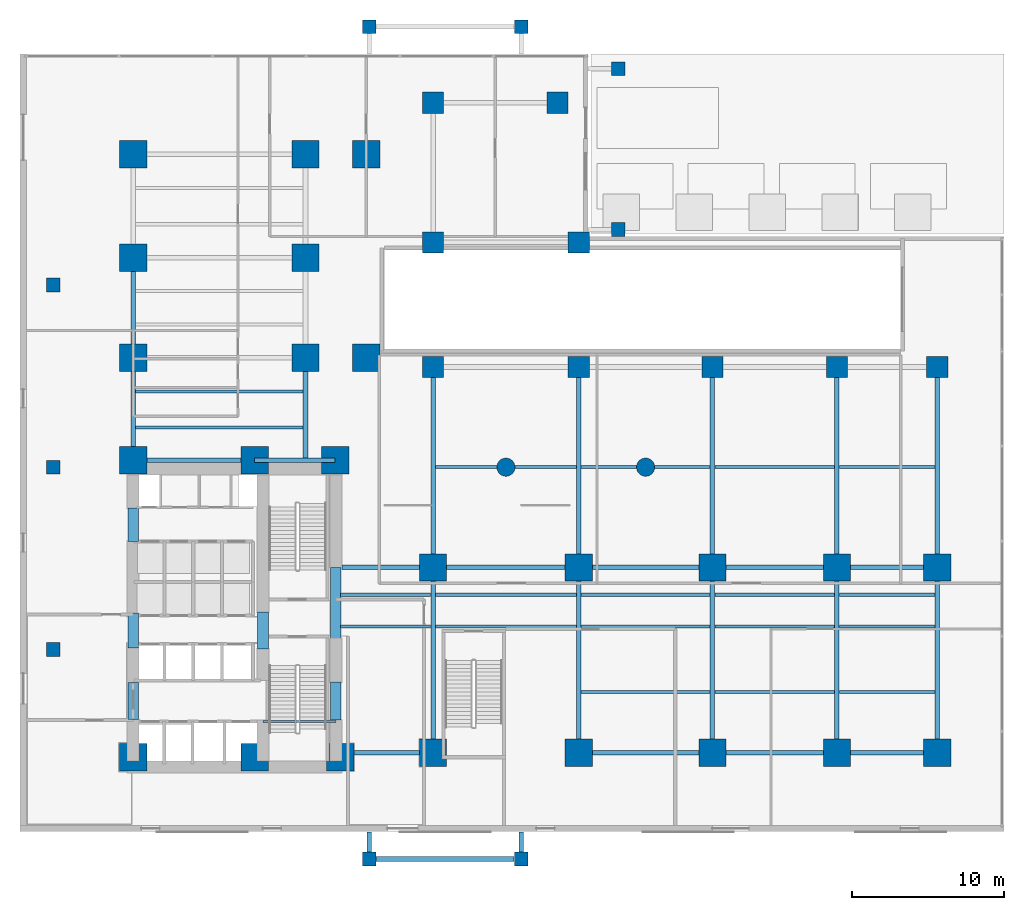
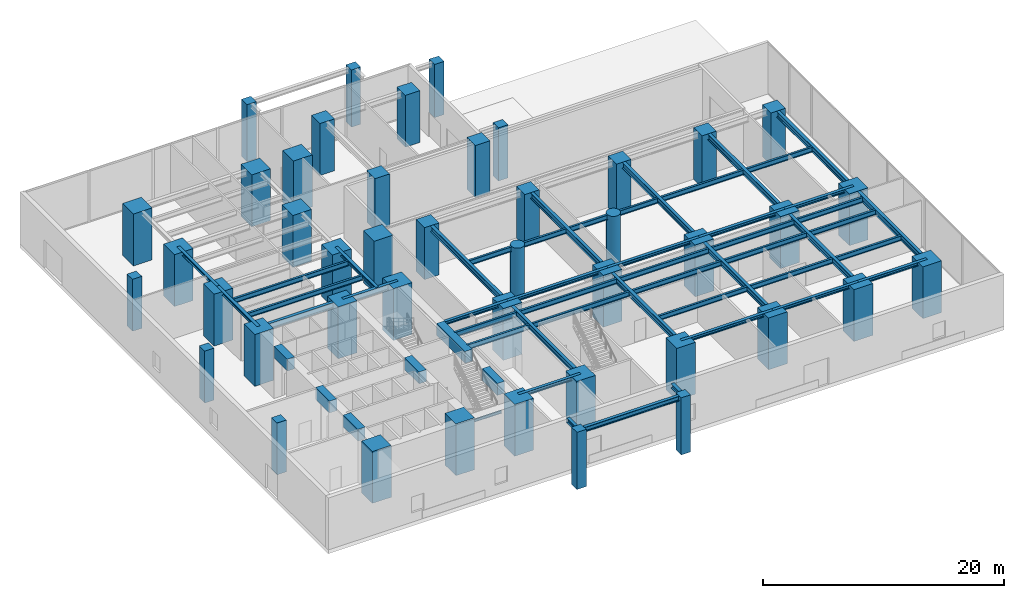
# One storey, part 1 of 17: 53 beams, 44 columns.
"""IFC4 building model written with IfcOpenShell, lengths in metres."""

from ifc_helpers import new_model, si_unit, direction, frame, origin, origin_2d, place, context, subcontext, project, spatial, rectangle, circle, i_section, extrude, material, material_profile, profile_set, type_object, element, save


model = new_model("IFC4")

# Units and contexts
model_context = context("Model", 3, precision=1e-05, world=origin(), true_north=direction((0.0, 1.0)))
body_context = subcontext(model_context, "Body", "Model", "MODEL_VIEW")
ifc_project = project(units=[si_unit("LENGTHUNIT", "METRE"), si_unit("AREAUNIT", "SQUARE_METRE"), si_unit("VOLUMEUNIT", "CUBIC_METRE"), si_unit("PLANEANGLEUNIT", "RADIAN"), si_unit("MASSUNIT", "GRAM", prefix="KILO")], contexts=[model_context])

# Site, building, storey
site_placement = place(None, origin())
site = spatial("IfcSite", under=ifc_project, at=site_placement, CompositionType="ELEMENT")
building_placement = place(site_placement, origin())
building = spatial("IfcBuilding", under=site, at=building_placement, Name="Kolvaren Waterfront Exchange", CompositionType="ELEMENT")
storey_placement = place(building_placement, origin())
storey = spatial("IfcBuildingStorey", under=building, at=storey_placement, Name="L01", CompositionType="ELEMENT", Elevation=0.0)

# Columns
ifc_material_1 = material(Name="Concrete C70/85", Category="concrete")
ifc_material_profile_1 = material_profile(ifc_material_1, rectangle(XDim=1.39990234375, YDim=1.39990234375, at=origin_2d()), Name="RC-COL-1400x1400")
ifc_profile_set_1 = profile_set([ifc_material_profile_1], Name="Concrete C70/85")
column_type_1 = type_object("IfcColumnType", Name="STR-COL-1400-C70", PredefinedType="COLUMN", material=ifc_profile_set_1)
for number, where, z_axis, x_axis, name in (
    (1, (27.199951171875, 30.60009765625, 0.0), (0.0, 0.0, 1.0), (1.0, 0.0, 0.0), "L01 column PC01"),
    (2, (36.800048828125, 30.60009765625, 0.0), (0.0, 0.0, 1.0), (1.0, 0.0, 0.0), "L01 column PC02"),
    (3, (45.60009765625, 30.60009765625, 0.0), (0.0, 0.0, 1.0), (1.0, 0.0, 0.0), "L01 column PC03"),
    (4, (53.800048828125, 30.60009765625, 0.0), (0.0, 0.0, 1.0), (1.0, 0.0, 0.0), "L01 column PC04"),
    (5, (60.39990234375, 30.60009765625, 0.0), (0.0, 0.0, 1.0), (1.0, 0.0, 0.0), "L01 column PC05"),
    (6, (27.199951171875, 38.800048828125, 0.0), (0.0, 0.0, 1.0), (1.0, 0.0, 0.0), "L01 column PC06"),
    (7, (36.800048828125, 38.800048828125, 0.0), (0.0, 0.0, 1.0), (1.0, 0.0, 0.0), "L01 column PC07"),
    (8, (27.199951171875, 48.0, 0.0), (0.0, 0.0, 1.0), (1.0, 0.0, 0.0), "L01 column PC08"),
    (9, (35.39990234375, 48.0, 0.0), (0.0, 0.0, 1.0), (1.0, 0.0, 0.0), "L01 column PC09"),
):
    element("IfcColumn", number, at=place(storey_placement, frame(where, z_axis=z_axis, x_axis=x_axis)), inside=storey, type_object=column_type_1, Name=name, PredefinedType="COLUMN", context=body_context, shape_type="SweptSolid", body=[
        extrude(rectangle(XDim=1.39990234375, YDim=1.39990234375, at=origin_2d()), origin(), (0.0, 0.0, 1.0), 5.260009765625),
    ])
ifc_material_profile_2 = material_profile(ifc_material_1, rectangle(XDim=1.800048828125, YDim=1.800048828125, at=origin_2d()), Name="RC-COL-1800x1800")
ifc_profile_set_2 = profile_set([ifc_material_profile_2], Name="Concrete C70/85")
column_type_2 = type_object("IfcColumnType", Name="STR-COL-1800-C70", PredefinedType="COLUMN", material=ifc_profile_set_2)
for number, where, z_axis, x_axis, name in (
    (10, (7.449951171875, 4.89990234375, 0.0), (0.0, 0.0, 1.0), (1.0, 0.0, 0.0), "L01 column MC01"),
    (11, (15.449951171875, 4.89990234375, 0.0), (0.0, 0.0, 1.0), (1.0, 0.0, 0.0), "L01 column MC02"),
    (12, (21.10009765625, 4.89990234375, 0.0), (0.0, 0.0, 1.0), (1.0, 0.0, 0.0), "L01 column MC03"),
    (13, (7.449951171875, 24.449951171875, 0.0), (0.0, 0.0, 1.0), (1.0, 0.0, 0.0), "L01 column MC04"),
    (14, (15.449951171875, 24.449951171875, 0.0), (0.0, 0.0, 1.0), (1.0, 0.0, 0.0), "L01 column MC05"),
    (15, (20.75, 24.449951171875, 0.0), (0.0, 0.0, 1.0), (1.0, 0.0, 0.0), "L01 column MC06"),
    (16, (7.449951171875, 31.199951171875, 0.0), (0.0, 0.0, 1.0), (1.0, 0.0, 0.0), "L01 column NC01"),
    (17, (7.449951171875, 37.800048828125, 0.0), (0.0, 0.0, 1.0), (1.0, 0.0, 0.0), "L01 column NC02"),
    (18, (7.449951171875, 44.60009765625, 0.0), (0.0, 0.0, 1.0), (1.0, 0.0, 0.0), "L01 column NC03"),
    (19, (18.800048828125, 31.199951171875, 0.0), (0.0, 0.0, 1.0), (1.0, 0.0, 0.0), "L01 column NC04"),
    (20, (18.800048828125, 37.800048828125, 0.0), (0.0, 0.0, 1.0), (1.0, 0.0, 0.0), "L01 column NC05"),
    (21, (18.800048828125, 44.60009765625, 0.0), (0.0, 0.0, 1.0), (1.0, 0.0, 0.0), "L01 column NC06"),
    (22, (27.199951171875, 5.199951171875, 0.0), (0.0, 0.0, 1.0), (1.0, 0.0, 0.0), "L01 column EC01"),
    (23, (36.800048828125, 5.199951171875, 0.0), (0.0, 0.0, 1.0), (1.0, 0.0, 0.0), "L01 column EC02"),
    (24, (45.60009765625, 5.199951171875, 0.0), (0.0, 0.0, 1.0), (1.0, 0.0, 0.0), "L01 column EC03"),
    (25, (27.199951171875, 17.39990234375, 0.0), (0.0, 0.0, 1.0), (1.0, 0.0, 0.0), "L01 column EC04"),
    (26, (36.800048828125, 17.39990234375, 0.0), (0.0, 0.0, 1.0), (1.0, 0.0, 0.0), "L01 column EC05"),
    (27, (45.60009765625, 17.39990234375, 0.0), (0.0, 0.0, 1.0), (1.0, 0.0, 0.0), "L01 column EC06"),
    (28, (53.800048828125, 5.199951171875, 0.0), (0.0, 0.0, 1.0), (1.0, 0.0, 0.0), "L01 column ZC01"),
    (29, (53.800048828125, 17.39990234375, 0.0), (0.0, 0.0, 1.0), (1.0, 0.0, 0.0), "L01 column ZC02"),
    (30, (60.39990234375, 5.199951171875, 0.0), (0.0, 0.0, 1.0), (1.0, 0.0, 0.0), "L01 column ZC03"),
    (31, (60.39990234375, 17.39990234375, 0.0), (0.0, 0.0, 1.0), (1.0, 0.0, 0.0), "L01 column ZC04"),
    (32, (22.800048828125, 31.199951171875, 0.0), (0.0, 0.0, 1.0), (1.0, 0.0, 0.0), "L01 column ZC05"),
    (33, (22.800048828125, 44.60009765625, 0.0), (0.0, 0.0, 1.0), (1.0, 0.0, 0.0), "L01 column ZC06"),
):
    element("IfcColumn", number, at=place(storey_placement, frame(where, z_axis=z_axis, x_axis=x_axis)), inside=storey, type_object=column_type_2, Name=name, PredefinedType="COLUMN", context=body_context, shape_type="SweptSolid", body=[
        extrude(rectangle(XDim=1.800048828125, YDim=1.800048828125, at=origin_2d()), origin(), (0.0, 0.0, 1.0), 5.260009765625),
    ])
ifc_material_2 = material(Name="Concrete C50/60", Category="concrete")
ifc_material_profile_3 = material_profile(ifc_material_2, rectangle(XDim=0.89990234375, YDim=0.89990234375, at=origin_2d()), Name="RC-COL-900x900")
ifc_profile_set_3 = profile_set([ifc_material_profile_3], Name="Concrete C50/60")
column_type_3 = type_object("IfcColumnType", Name="STR-COL-900-C50", PredefinedType="COLUMN", material=ifc_profile_set_3)
for number, where, z_axis, x_axis, name in (
    (34, (23.0, -1.800048828125, -0.39990234375), (0.0, 0.0, 1.0), (1.0, 0.0, 0.0), "L01 south portico column 1"),
    (35, (33.0, -1.800048828125, -0.39990234375), (0.0, 0.0, 1.0), (1.0, 0.0, 0.0), "L01 south portico column 2"),
    (36, (23.0, 53.0, -0.39990234375), (0.0, 0.0, 1.0), (1.0, 0.0, 0.0), "L01 north portico column 1"),
    (37, (33.0, 53.0, -0.39990234375), (0.0, 0.0, 1.0), (1.0, 0.0, 0.0), "L01 north portico column 2"),
):
    element("IfcColumn", number, at=place(storey_placement, frame(where, z_axis=z_axis, x_axis=x_axis)), inside=storey, type_object=column_type_3, Name=name, PredefinedType="COLUMN", context=body_context, shape_type="SweptSolid", body=[
        extrude(rectangle(XDim=0.89990234375, YDim=0.89990234375, at=origin_2d()), origin(), (0.0, 0.0, 1.0), 5.789794921875),
    ])
for number, where, z_axis, x_axis, name in (
    (38, (39.39990234375, 39.64990234375, 0.0), (0.0, 0.0, 1.0), (1.0, 0.0, 0.0), "L01 waterfront canopy column 1"),
    (39, (39.39990234375, 50.25, 0.0), (0.0, 0.0, 1.0), (1.0, 0.0, 0.0), "L01 waterfront canopy column 2"),
):
    element("IfcColumn", number, at=place(storey_placement, frame(where, z_axis=z_axis, x_axis=x_axis)), inside=storey, type_object=column_type_3, Name=name, PredefinedType="COLUMN", context=body_context, shape_type="SweptSolid", body=[
        extrude(rectangle(XDim=0.89990234375, YDim=0.89990234375, at=origin_2d()), origin(), (0.0, 0.0, 1.0), 5.389892578125),
    ])
ifc_material_profile_4 = material_profile(ifc_material_1, circle(Radius=0.60009765625, at=origin_2d()), Name="RC-COL-D1200")
ifc_profile_set_4 = profile_set([ifc_material_profile_4], Name="Concrete C70/85")
column_type_4 = type_object("IfcColumnType", Name="STR-COL-D1200-C70", PredefinedType="COLUMN", material=ifc_profile_set_4)
for number, where, z_axis, x_axis, name in (
    (40, (32.0, 24.0, 0.0), (0.0, 0.0, 1.0), (1.0, 0.0, 0.0), "L01 column LC01"),
    (41, (41.199951171875, 24.0, 0.0), (0.0, 0.0, 1.0), (1.0, 0.0, 0.0), "L01 column LC02"),
):
    element("IfcColumn", number, at=place(storey_placement, frame(where, z_axis=z_axis, x_axis=x_axis)), inside=storey, type_object=column_type_4, Name=name, PredefinedType="COLUMN", context=body_context, shape_type="SweptSolid", body=[
        extrude(circle(Radius=0.60009765625, at=origin_2d()), origin(), (0.0, 0.0, 1.0), 5.260009765625),
    ])
ifc_material_profile_5 = material_profile(ifc_material_1, rectangle(XDim=0.89990234375, YDim=0.89990234375, at=origin_2d()), Name="RC-COL-900x900")
ifc_profile_set_5 = profile_set([ifc_material_profile_5], Name="Concrete C70/85")
column_type_5 = type_object("IfcColumnType", Name="STR-PIL-900-C70", PredefinedType="PILASTER", material=ifc_profile_set_5)
for number, where, z_axis, x_axis, name in (
    (42, (2.199951171875, 12.0, 0.0), (0.0, 0.0, 1.0), (1.0, 0.0, 0.0), "L01 column PL01"),
    (43, (2.199951171875, 24.0, 0.0), (0.0, 0.0, 1.0), (1.0, 0.0, 0.0), "L01 column PL02"),
    (44, (2.199951171875, 36.0, 0.0), (0.0, 0.0, 1.0), (1.0, 0.0, 0.0), "L01 column PL03"),
):
    element("IfcColumn", number, at=place(storey_placement, frame(where, z_axis=z_axis, x_axis=x_axis)), inside=storey, type_object=column_type_5, Name=name, PredefinedType="PILASTER", context=body_context, shape_type="SweptSolid", body=[
        extrude(rectangle(XDim=0.89990234375, YDim=0.89990234375, at=origin_2d()), origin(), (0.0, 0.0, 1.0), 5.260009765625),
    ])

# Beams
ifc_material_3 = material(Name="Steel S355", Category="steel")
ifc_material_profile_6 = material_profile(ifc_material_3, i_section(OverallWidth=0.300048828125, OverallDepth=0.360107421875, WebThickness=0.012451171875, FlangeThickness=0.0224609375, FilletRadius=0.027099609375, at=origin_2d()), Name="HEB360")
ifc_profile_set_6 = profile_set([ifc_material_profile_6], Name="Steel S355")
beam_type_1 = type_object("IfcBeamType", Name="STR-BM-HEB360", PredefinedType="SPANDREL", material=ifc_profile_set_6)
beam_1_placement = place(storey_placement, frame((7.449951171875, 24.449951171875, 5.080078125), z_axis=(0.0, 1.0, 0.0), x_axis=(-1.0, 0.0, 0.0)))
element("IfcBeam", 45, at=beam_1_placement, inside=storey, type_object=beam_type_1, Name="L01 north-arm edge beam 1", PredefinedType="SPANDREL", context=body_context, shape_type="SweptSolid", body=[
    extrude(i_section(OverallWidth=0.300048828125, OverallDepth=0.360107421875, WebThickness=0.012451171875, FlangeThickness=0.0224609375, FilletRadius=0.027099609375, at=origin_2d()), origin(), (0.0, 0.0, 1.0), 6.75),
])
beam_2_placement = place(storey_placement, frame((7.449951171875, 31.199951171875, 5.080078125), z_axis=(0.0, 1.0, 0.0), x_axis=(-1.0, 0.0, 0.0)))
element("IfcBeam", 46, at=beam_2_placement, inside=storey, type_object=beam_type_1, Name="L01 north-arm edge beam 2", PredefinedType="SPANDREL", context=body_context, shape_type="SweptSolid", body=[
    extrude(i_section(OverallWidth=0.300048828125, OverallDepth=0.360107421875, WebThickness=0.012451171875, FlangeThickness=0.0224609375, FilletRadius=0.027099609375, at=origin_2d()), origin(), (0.0, 0.0, 1.0), 6.60009765625),
])
beam_3_placement = place(storey_placement, frame((18.800048828125, 24.449951171875, 5.080078125), z_axis=(0.0, 1.0, 0.0), x_axis=(-1.0, 0.0, 0.0)))
element("IfcBeam", 47, at=beam_3_placement, inside=storey, type_object=beam_type_1, Name="L01 north-arm edge beam 1", PredefinedType="SPANDREL", context=body_context, shape_type="SweptSolid", body=[
    extrude(i_section(OverallWidth=0.300048828125, OverallDepth=0.360107421875, WebThickness=0.012451171875, FlangeThickness=0.0224609375, FilletRadius=0.027099609375, at=origin_2d()), origin(), (0.0, 0.0, 1.0), 6.75),
])
beam_4_placement = place(storey_placement, frame((21.199951171875, 5.199951171875, 5.080078125), z_axis=(1.0, 0.0, 0.0), x_axis=(0.0, 1.0, 0.0)))
element("IfcBeam", 48, at=beam_4_placement, inside=storey, type_object=beam_type_1, Name="L01 east-arm spandrel S1", PredefinedType="SPANDREL", context=body_context, shape_type="SweptSolid", body=[
    extrude(i_section(OverallWidth=0.300048828125, OverallDepth=0.360107421875, WebThickness=0.012451171875, FlangeThickness=0.0224609375, FilletRadius=0.027099609375, at=origin_2d()), origin(), (0.0, 0.0, 1.0), 6.0),
])
beam_5_placement = place(storey_placement, frame((36.800048828125, 5.199951171875, 5.080078125), z_axis=(1.0, 0.0, 0.0), x_axis=(0.0, 1.0, 0.0)))
element("IfcBeam", 49, at=beam_5_placement, inside=storey, type_object=beam_type_1, Name="L01 east-arm spandrel S3", PredefinedType="SPANDREL", context=body_context, shape_type="SweptSolid", body=[
    extrude(i_section(OverallWidth=0.300048828125, OverallDepth=0.360107421875, WebThickness=0.012451171875, FlangeThickness=0.0224609375, FilletRadius=0.027099609375, at=origin_2d()), origin(), (0.0, 0.0, 1.0), 8.800048828125),
])
beam_6_placement = place(storey_placement, frame((45.60009765625, 5.199951171875, 5.080078125), z_axis=(1.0, 0.0, 0.0), x_axis=(0.0, 1.0, 0.0)))
element("IfcBeam", 50, at=beam_6_placement, inside=storey, type_object=beam_type_1, Name="L01 east-arm spandrel S4", PredefinedType="SPANDREL", context=body_context, shape_type="SweptSolid", body=[
    extrude(i_section(OverallWidth=0.300048828125, OverallDepth=0.360107421875, WebThickness=0.012451171875, FlangeThickness=0.0224609375, FilletRadius=0.027099609375, at=origin_2d()), origin(), (0.0, 0.0, 1.0), 8.199951171875),
])
beam_7_placement = place(storey_placement, frame((53.800048828125, 5.199951171875, 5.080078125), z_axis=(1.0, 0.0, 0.0), x_axis=(0.0, 1.0, 0.0)))
element("IfcBeam", 51, at=beam_7_placement, inside=storey, type_object=beam_type_1, Name="L01 east-arm spandrel S5", PredefinedType="SPANDREL", context=body_context, shape_type="SweptSolid", body=[
    extrude(i_section(OverallWidth=0.300048828125, OverallDepth=0.360107421875, WebThickness=0.012451171875, FlangeThickness=0.0224609375, FilletRadius=0.027099609375, at=origin_2d()), origin(), (0.0, 0.0, 1.0), 6.599853515625),
])
beam_8_placement = place(storey_placement, frame((21.199951171875, 17.39990234375, 5.080078125), z_axis=(1.0, 0.0, 0.0), x_axis=(0.0, 1.0, 0.0)))
element("IfcBeam", 52, at=beam_8_placement, inside=storey, type_object=beam_type_1, Name="L01 east-arm spandrel N1", PredefinedType="SPANDREL", context=body_context, shape_type="SweptSolid", body=[
    extrude(i_section(OverallWidth=0.300048828125, OverallDepth=0.360107421875, WebThickness=0.012451171875, FlangeThickness=0.0224609375, FilletRadius=0.027099609375, at=origin_2d()), origin(), (0.0, 0.0, 1.0), 6.0),
])
beam_9_placement = place(storey_placement, frame((27.199951171875, 17.39990234375, 5.080078125), z_axis=(1.0, 0.0, 0.0), x_axis=(0.0, 1.0, 0.0)))
element("IfcBeam", 53, at=beam_9_placement, inside=storey, type_object=beam_type_1, Name="L01 east-arm spandrel N2", PredefinedType="SPANDREL", context=body_context, shape_type="SweptSolid", body=[
    extrude(i_section(OverallWidth=0.300048828125, OverallDepth=0.360107421875, WebThickness=0.012451171875, FlangeThickness=0.0224609375, FilletRadius=0.027099609375, at=origin_2d()), origin(), (0.0, 0.0, 1.0), 9.60009765625),
])
beam_10_placement = place(storey_placement, frame((36.800048828125, 17.39990234375, 5.080078125), z_axis=(1.0, 0.0, 0.0), x_axis=(0.0, 1.0, 0.0)))
element("IfcBeam", 54, at=beam_10_placement, inside=storey, type_object=beam_type_1, Name="L01 east-arm spandrel N3", PredefinedType="SPANDREL", context=body_context, shape_type="SweptSolid", body=[
    extrude(i_section(OverallWidth=0.300048828125, OverallDepth=0.360107421875, WebThickness=0.012451171875, FlangeThickness=0.0224609375, FilletRadius=0.027099609375, at=origin_2d()), origin(), (0.0, 0.0, 1.0), 8.800048828125),
])
beam_11_placement = place(storey_placement, frame((45.60009765625, 17.39990234375, 5.080078125), z_axis=(1.0, 0.0, 0.0), x_axis=(0.0, 1.0, 0.0)))
element("IfcBeam", 55, at=beam_11_placement, inside=storey, type_object=beam_type_1, Name="L01 east-arm spandrel N4", PredefinedType="SPANDREL", context=body_context, shape_type="SweptSolid", body=[
    extrude(i_section(OverallWidth=0.300048828125, OverallDepth=0.360107421875, WebThickness=0.012451171875, FlangeThickness=0.0224609375, FilletRadius=0.027099609375, at=origin_2d()), origin(), (0.0, 0.0, 1.0), 8.199951171875),
])
beam_12_placement = place(storey_placement, frame((53.800048828125, 17.39990234375, 5.080078125), z_axis=(1.0, 0.0, 0.0), x_axis=(0.0, 1.0, 0.0)))
element("IfcBeam", 56, at=beam_12_placement, inside=storey, type_object=beam_type_1, Name="L01 east-arm spandrel N5", PredefinedType="SPANDREL", context=body_context, shape_type="SweptSolid", body=[
    extrude(i_section(OverallWidth=0.300048828125, OverallDepth=0.360107421875, WebThickness=0.012451171875, FlangeThickness=0.0224609375, FilletRadius=0.027099609375, at=origin_2d()), origin(), (0.0, 0.0, 1.0), 6.599853515625),
])
ifc_material_profile_7 = material_profile(ifc_material_3, i_section(OverallWidth=0.300048828125, OverallDepth=0.449951171875, WebThickness=0.013916015625, FlangeThickness=0.02587890625, FilletRadius=0.027099609375, at=origin_2d()), Name="HEB450")
ifc_profile_set_7 = profile_set([ifc_material_profile_7], Name="Steel S355")
beam_type_2 = type_object("IfcBeamType", Name="STR-BM-HEB450", PredefinedType="BEAM", material=ifc_profile_set_7)
for number, where, z_axis, x_axis, name in (
    (57, (23.0, -1.347900390625, 5.1650390625), (0.0, 1.0, 0.0), (-1.0, 0.0, 0.0), "L01 south portico tie beam 1"),
    (58, (33.0, -1.347900390625, 5.1650390625), (0.0, 1.0, 0.0), (-1.0, 0.0, 0.0), "L01 south portico tie beam 2"),
):
    element("IfcBeam", number, at=place(storey_placement, frame(where, z_axis=z_axis, x_axis=x_axis)), inside=storey, type_object=beam_type_2, Name=name, PredefinedType="BEAM", context=body_context, shape_type="SweptSolid", body=[
        extrude(i_section(OverallWidth=0.300048828125, OverallDepth=0.449951171875, WebThickness=0.013916015625, FlangeThickness=0.02587890625, FilletRadius=0.027099609375, at=origin_2d()), origin(), (0.0, 0.0, 1.0), 1.327880859375),
    ])
ifc_material_profile_8 = material_profile(ifc_material_3, i_section(OverallWidth=0.300048828125, OverallDepth=0.5, WebThickness=0.014404296875, FlangeThickness=0.028076171875, FilletRadius=0.027099609375, at=origin_2d()), Name="HEB500")
ifc_profile_set_8 = profile_set([ifc_material_profile_8], Name="Steel S355")
beam_type_3 = type_object("IfcBeamType", Name="STR-BM-HEB500", PredefinedType="BEAM", material=ifc_profile_set_8)
beam_13_placement = place(storey_placement, frame((23.451904296875, -1.800048828125, 5.139892578125), z_axis=(1.0, 0.0, 0.0), x_axis=(0.0, 1.0, 0.0)))
element("IfcBeam", 59, at=beam_13_placement, inside=storey, type_object=beam_type_3, Name="L01 south portico header girder", PredefinedType="SPANDREL", context=body_context, shape_type="SweptSolid", body=[
    extrude(i_section(OverallWidth=0.300048828125, OverallDepth=0.5, WebThickness=0.014404296875, FlangeThickness=0.028076171875, FilletRadius=0.027099609375, at=origin_2d()), origin(), (0.0, 0.0, 1.0), 9.09619140625),
])
ifc_material_profile_9 = material_profile(ifc_material_3, i_section(OverallWidth=0.300048828125, OverallDepth=0.60009765625, WebThickness=0.015380859375, FlangeThickness=0.030029296875, FilletRadius=0.027099609375, at=origin_2d()), Name="HEB600")
ifc_profile_set_9 = profile_set([ifc_material_profile_9], Name="Steel S355")
beam_type_4 = type_object("IfcBeamType", Name="STR-BM-HEB600", PredefinedType="BEAM", material=ifc_profile_set_9)
beam_14_placement = place(storey_placement, frame((7.449951171875, 24.449951171875, 4.9599609375), z_axis=(1.0, 0.0, 0.0), x_axis=(0.0, 1.0, 0.0)))
element("IfcBeam", 60, at=beam_14_placement, inside=storey, type_object=beam_type_4, Name="L01 north-arm girder 1A", PredefinedType="BEAM", context=body_context, shape_type="SweptSolid", body=[
    extrude(i_section(OverallWidth=0.300048828125, OverallDepth=0.60009765625, WebThickness=0.015380859375, FlangeThickness=0.030029296875, FilletRadius=0.027099609375, at=origin_2d()), origin(), (0.0, 0.0, 1.0), 8.0),
])
beam_15_placement = place(storey_placement, frame((15.449951171875, 24.449951171875, 4.9599609375), z_axis=(1.0, 0.0, 0.0), x_axis=(0.0, 1.0, 0.0)))
element("IfcBeam", 61, at=beam_15_placement, inside=storey, type_object=beam_type_4, Name="L01 north-arm girder 1B", PredefinedType="BEAM", context=body_context, shape_type="SweptSolid", body=[
    extrude(i_section(OverallWidth=0.300048828125, OverallDepth=0.60009765625, WebThickness=0.015380859375, FlangeThickness=0.030029296875, FilletRadius=0.027099609375, at=origin_2d()), origin(), (0.0, 0.0, 1.0), 5.300048828125),
])
for number, where, z_axis, x_axis, name in (
    (62, (27.199951171875, 5.199951171875, 4.9599609375), (0.0, 1.0, 0.0), (-1.0, 0.0, 0.0), "L01 east-arm transverse girder X27"),
    (63, (36.800048828125, 5.199951171875, 4.9599609375), (0.0, 1.0, 0.0), (-1.0, 0.0, 0.0), "L01 east-arm transverse girder X36"),
    (64, (45.60009765625, 5.199951171875, 4.9599609375), (0.0, 1.0, 0.0), (-1.0, 0.0, 0.0), "L01 east-arm transverse girder X45"),
    (65, (53.800048828125, 5.199951171875, 4.9599609375), (0.0, 1.0, 0.0), (-1.0, 0.0, 0.0), "L01 east-arm transverse girder X53"),
    (66, (60.39990234375, 5.199951171875, 4.9599609375), (0.0, 1.0, 0.0), (-1.0, 0.0, 0.0), "L01 east-arm transverse girder X60"),
):
    element("IfcBeam", number, at=place(storey_placement, frame(where, z_axis=z_axis, x_axis=x_axis)), inside=storey, type_object=beam_type_4, Name=name, PredefinedType="BEAM", context=body_context, shape_type="SweptSolid", body=[
        extrude(i_section(OverallWidth=0.300048828125, OverallDepth=0.60009765625, WebThickness=0.015380859375, FlangeThickness=0.030029296875, FilletRadius=0.027099609375, at=origin_2d()), origin(), (0.0, 0.0, 1.0), 12.199951171875),
    ])
for number, where, z_axis, x_axis, name in (
    (67, (27.199951171875, 17.39990234375, 4.9599609375), (0.0, 1.0, 0.0), (-1.0, 0.0, 0.0), "L01 podium hall girder X27"),
    (68, (36.800048828125, 17.39990234375, 4.9599609375), (0.0, 1.0, 0.0), (-1.0, 0.0, 0.0), "L01 podium hall girder X36"),
    (69, (45.60009765625, 17.39990234375, 4.9599609375), (0.0, 1.0, 0.0), (-1.0, 0.0, 0.0), "L01 podium hall girder X45"),
    (70, (53.800048828125, 17.39990234375, 4.9599609375), (0.0, 1.0, 0.0), (-1.0, 0.0, 0.0), "L01 podium hall girder X53"),
    (71, (60.39990234375, 17.39990234375, 4.9599609375), (0.0, 1.0, 0.0), (-1.0, 0.0, 0.0), "L01 podium hall girder X60"),
):
    element("IfcBeam", number, at=place(storey_placement, frame(where, z_axis=z_axis, x_axis=x_axis)), inside=storey, type_object=beam_type_4, Name=name, PredefinedType="BEAM", context=body_context, shape_type="SweptSolid", body=[
        extrude(i_section(OverallWidth=0.300048828125, OverallDepth=0.60009765625, WebThickness=0.015380859375, FlangeThickness=0.030029296875, FilletRadius=0.027099609375, at=origin_2d()), origin(), (0.0, 0.0, 1.0), 13.2001953125),
    ])
ifc_material_profile_10 = material_profile(ifc_material_3, i_section(OverallWidth=0.135009765625, OverallDepth=0.27001953125, WebThickness=0.006591796875, FlangeThickness=0.01025390625, FilletRadius=0.014892578125, at=origin_2d()), Name="IPE270")
ifc_profile_set_10 = profile_set([ifc_material_profile_10], Name="Steel S355")
beam_type_5 = type_object("IfcBeamType", Name="STR-BM-IPE270", PredefinedType="LINTEL", material=ifc_profile_set_10)
beam_16_placement = place(storey_placement, frame((16.0, 7.25, 2.364990234375), z_axis=(1.0, 0.0, 0.0), x_axis=(0.0, 1.0, 0.0)))
element("IfcBeam", 72, at=beam_16_placement, inside=storey, type_object=beam_type_5, Name="L01 core throat header lintel", PredefinedType="LINTEL", context=body_context, shape_type="SweptSolid", body=[
    extrude(i_section(OverallWidth=0.135009765625, OverallDepth=0.27001953125, WebThickness=0.006591796875, FlangeThickness=0.01025390625, FilletRadius=0.014892578125, at=origin_2d()), origin(), (0.0, 0.0, 1.0), 4.800048828125),
])
ifc_material_profile_11 = material_profile(ifc_material_3, i_section(OverallWidth=0.199951171875, OverallDepth=0.5, WebThickness=0.01025390625, FlangeThickness=0.01611328125, FilletRadius=0.02099609375, at=origin_2d()), Name="IPE500")
ifc_profile_set_11 = profile_set([ifc_material_profile_11], Name="Steel S355")
beam_type_6 = type_object("IfcBeamType", Name="STR-BM-IPE500", PredefinedType="JOIST", material=ifc_profile_set_11)
for number, where, z_axis, x_axis, name in (
    (73, (7.60205078125, 26.60009765625, 5.010009765625), (1.0, 0.0, 0.0), (0.0, 1.0, 0.0), "L01 north-arm composite joist 1"),
    (74, (7.60205078125, 29.0, 5.010009765625), (1.0, 0.0, 0.0), (0.0, 1.0, 0.0), "L01 north-arm composite joist 2"),
):
    element("IfcBeam", number, at=place(storey_placement, frame(where, z_axis=z_axis, x_axis=x_axis)), inside=storey, type_object=beam_type_6, Name=name, PredefinedType="JOIST", context=body_context, shape_type="SweptSolid", body=[
        extrude(i_section(OverallWidth=0.199951171875, OverallDepth=0.5, WebThickness=0.01025390625, FlangeThickness=0.01611328125, FilletRadius=0.02099609375, at=origin_2d()), origin(), (0.0, 0.0, 1.0), 11.0458984375),
    ])
for number, where, z_axis, x_axis, name in (
    (75, (21.10009765625, 13.5, 5.010009765625), (1.0, 0.0, 0.0), (0.0, 1.0, 0.0), "L01 east-arm composite joist 1A"),
    (76, (21.10009765625, 15.60009765625, 5.010009765625), (1.0, 0.0, 0.0), (0.0, 1.0, 0.0), "L01 east-arm composite joist 1C"),
):
    element("IfcBeam", number, at=place(storey_placement, frame(where, z_axis=z_axis, x_axis=x_axis)), inside=storey, type_object=beam_type_6, Name=name, PredefinedType="JOIST", context=body_context, shape_type="SweptSolid", body=[
        extrude(i_section(OverallWidth=0.199951171875, OverallDepth=0.5, WebThickness=0.01025390625, FlangeThickness=0.01611328125, FilletRadius=0.02099609375, at=origin_2d()), origin(), (0.0, 0.0, 1.0), 5.947998046875),
    ])
for number, where, z_axis, x_axis, name in (
    (77, (27.35205078125, 13.5, 5.010009765625), (1.0, 0.0, 0.0), (0.0, 1.0, 0.0), "L01 east-arm composite joist 2A"),
    (78, (27.35205078125, 15.60009765625, 5.010009765625), (1.0, 0.0, 0.0), (0.0, 1.0, 0.0), "L01 east-arm composite joist 2C"),
):
    element("IfcBeam", number, at=place(storey_placement, frame(where, z_axis=z_axis, x_axis=x_axis)), inside=storey, type_object=beam_type_6, Name=name, PredefinedType="JOIST", context=body_context, shape_type="SweptSolid", body=[
        extrude(i_section(OverallWidth=0.199951171875, OverallDepth=0.5, WebThickness=0.01025390625, FlangeThickness=0.01611328125, FilletRadius=0.02099609375, at=origin_2d()), origin(), (0.0, 0.0, 1.0), 9.2958984375),
    ])
for number, where, z_axis, x_axis, name in (
    (79, (36.951904296875, 13.5, 5.010009765625), (1.0, 0.0, 0.0), (0.0, 1.0, 0.0), "L01 east-arm composite joist 3A"),
    (80, (36.951904296875, 15.60009765625, 5.010009765625), (1.0, 0.0, 0.0), (0.0, 1.0, 0.0), "L01 east-arm composite joist 3C"),
    (81, (36.951904296875, 9.199951171875, 5.010009765625), (1.0, 0.0, 0.0), (0.0, 1.0, 0.0), "L01 east-arm composite joist 3B"),
):
    element("IfcBeam", number, at=place(storey_placement, frame(where, z_axis=z_axis, x_axis=x_axis)), inside=storey, type_object=beam_type_6, Name=name, PredefinedType="JOIST", context=body_context, shape_type="SweptSolid", body=[
        extrude(i_section(OverallWidth=0.199951171875, OverallDepth=0.5, WebThickness=0.01025390625, FlangeThickness=0.01611328125, FilletRadius=0.02099609375, at=origin_2d()), origin(), (0.0, 0.0, 1.0), 8.49609375),
    ])
for number, where, z_axis, x_axis, name in (
    (82, (45.751953125, 13.5, 5.010009765625), (1.0, 0.0, 0.0), (0.0, 1.0, 0.0), "L01 east-arm composite joist 4A"),
    (83, (45.751953125, 15.60009765625, 5.010009765625), (1.0, 0.0, 0.0), (0.0, 1.0, 0.0), "L01 east-arm composite joist 4C"),
    (84, (45.751953125, 9.199951171875, 5.010009765625), (1.0, 0.0, 0.0), (0.0, 1.0, 0.0), "L01 east-arm composite joist 4B"),
):
    element("IfcBeam", number, at=place(storey_placement, frame(where, z_axis=z_axis, x_axis=x_axis)), inside=storey, type_object=beam_type_6, Name=name, PredefinedType="JOIST", context=body_context, shape_type="SweptSolid", body=[
        extrude(i_section(OverallWidth=0.199951171875, OverallDepth=0.5, WebThickness=0.01025390625, FlangeThickness=0.01611328125, FilletRadius=0.02099609375, at=origin_2d()), origin(), (0.0, 0.0, 1.0), 7.89599609375),
    ])
for number, where, z_axis, x_axis, name in (
    (85, (53.951904296875, 13.5, 5.010009765625), (1.0, 0.0, 0.0), (0.0, 1.0, 0.0), "L01 east-arm composite joist 5A"),
    (86, (53.951904296875, 15.60009765625, 5.010009765625), (1.0, 0.0, 0.0), (0.0, 1.0, 0.0), "L01 east-arm composite joist 5C"),
    (87, (53.951904296875, 9.199951171875, 5.010009765625), (1.0, 0.0, 0.0), (0.0, 1.0, 0.0), "L01 east-arm composite joist 5B"),
):
    element("IfcBeam", number, at=place(storey_placement, frame(where, z_axis=z_axis, x_axis=x_axis)), inside=storey, type_object=beam_type_6, Name=name, PredefinedType="JOIST", context=body_context, shape_type="SweptSolid", body=[
        extrude(i_section(OverallWidth=0.199951171875, OverallDepth=0.5, WebThickness=0.01025390625, FlangeThickness=0.01611328125, FilletRadius=0.02099609375, at=origin_2d()), origin(), (0.0, 0.0, 1.0), 6.296142578125),
    ])
beam_17_placement = place(storey_placement, frame((27.35205078125, 24.0, 5.010009765625), z_axis=(1.0, 0.0, 0.0), x_axis=(0.0, 1.0, 0.0)))
element("IfcBeam", 88, at=beam_17_placement, inside=storey, type_object=beam_type_6, Name="L01 podium trading joist 1", PredefinedType="JOIST", context=body_context, shape_type="SweptSolid", body=[
    extrude(i_section(OverallWidth=0.199951171875, OverallDepth=0.5, WebThickness=0.01025390625, FlangeThickness=0.01611328125, FilletRadius=0.02099609375, at=origin_2d()), origin(), (0.0, 0.0, 1.0), 9.2958984375),
])
beam_18_placement = place(storey_placement, frame((36.951904296875, 24.0, 5.010009765625), z_axis=(1.0, 0.0, 0.0), x_axis=(0.0, 1.0, 0.0)))
element("IfcBeam", 89, at=beam_18_placement, inside=storey, type_object=beam_type_6, Name="L01 podium trading joist 2", PredefinedType="JOIST", context=body_context, shape_type="SweptSolid", body=[
    extrude(i_section(OverallWidth=0.199951171875, OverallDepth=0.5, WebThickness=0.01025390625, FlangeThickness=0.01611328125, FilletRadius=0.02099609375, at=origin_2d()), origin(), (0.0, 0.0, 1.0), 8.49609375),
])
beam_19_placement = place(storey_placement, frame((45.751953125, 24.0, 5.010009765625), z_axis=(1.0, 0.0, 0.0), x_axis=(0.0, 1.0, 0.0)))
element("IfcBeam", 90, at=beam_19_placement, inside=storey, type_object=beam_type_6, Name="L01 podium trading joist 3", PredefinedType="JOIST", context=body_context, shape_type="SweptSolid", body=[
    extrude(i_section(OverallWidth=0.199951171875, OverallDepth=0.5, WebThickness=0.01025390625, FlangeThickness=0.01611328125, FilletRadius=0.02099609375, at=origin_2d()), origin(), (0.0, 0.0, 1.0), 7.89599609375),
])
beam_20_placement = place(storey_placement, frame((53.951904296875, 24.0, 5.010009765625), z_axis=(1.0, 0.0, 0.0), x_axis=(0.0, 1.0, 0.0)))
element("IfcBeam", 91, at=beam_20_placement, inside=storey, type_object=beam_type_6, Name="L01 podium trading joist 4", PredefinedType="JOIST", context=body_context, shape_type="SweptSolid", body=[
    extrude(i_section(OverallWidth=0.199951171875, OverallDepth=0.5, WebThickness=0.01025390625, FlangeThickness=0.01611328125, FilletRadius=0.02099609375, at=origin_2d()), origin(), (0.0, 0.0, 1.0), 6.296142578125),
])
ifc_material_profile_12 = material_profile(ifc_material_1, rectangle(XDim=0.699951171875, YDim=1.199951171875, at=origin_2d()), Name="RC-CB-1200x700")
ifc_profile_set_12 = profile_set([ifc_material_profile_12], Name="Concrete C70/85")
beam_type_7 = type_object("IfcBeamType", Name="STR-CB-1200", PredefinedType="SPANDREL", material=ifc_profile_set_12)
beam_21_placement = place(storey_placement, frame((20.800048828125, 7.340087890625, 4.659912109375), z_axis=(0.0, 1.0, 0.0), x_axis=(-1.0, 0.0, 0.0)))
element("IfcBeam", 92, at=beam_21_placement, inside=storey, type_object=beam_type_7, Name="L01 core coupling beam 1", PredefinedType="SPANDREL", context=body_context, shape_type="SweptSolid", body=[
    extrude(rectangle(XDim=0.699951171875, YDim=1.199951171875, at=origin_2d()), origin(), (0.0, 0.0, 1.0), 2.52001953125),
])
beam_22_placement = place(storey_placement, frame((20.800048828125, 12.68994140625, 4.659912109375), z_axis=(0.0, 1.0, 0.0), x_axis=(-1.0, 0.0, 0.0)))
element("IfcBeam", 93, at=beam_22_placement, inside=storey, type_object=beam_type_7, Name="L01 core coupling beam 2", PredefinedType="SPANDREL", context=body_context, shape_type="SweptSolid", body=[
    extrude(rectangle(XDim=0.699951171875, YDim=1.199951171875, at=origin_2d()), origin(), (0.0, 0.0, 1.0), 4.719970703125),
])
beam_23_placement = place(storey_placement, frame((7.449951171875, 7.389892578125, 4.659912109375), z_axis=(0.0, 1.0, 0.0), x_axis=(-1.0, 0.0, 0.0)))
element("IfcBeam", 94, at=beam_23_placement, inside=storey, type_object=beam_type_7, Name="L01 core coupling beam 3", PredefinedType="SPANDREL", context=body_context, shape_type="SweptSolid", body=[
    extrude(rectangle(XDim=0.699951171875, YDim=1.199951171875, at=origin_2d()), origin(), (0.0, 0.0, 1.0), 2.420166015625),
])
beam_24_placement = place(storey_placement, frame((7.449951171875, 12.090087890625, 4.659912109375), z_axis=(0.0, 1.0, 0.0), x_axis=(-1.0, 0.0, 0.0)))
element("IfcBeam", 95, at=beam_24_placement, inside=storey, type_object=beam_type_7, Name="L01 core coupling beam 4", PredefinedType="SPANDREL", context=body_context, shape_type="SweptSolid", body=[
    extrude(rectangle(XDim=0.699951171875, YDim=1.199951171875, at=origin_2d()), origin(), (0.0, 0.0, 1.0), 2.31982421875),
])
beam_25_placement = place(storey_placement, frame((7.449951171875, 19.10009765625, 4.659912109375), z_axis=(0.0, 1.0, 0.0), x_axis=(-1.0, 0.0, 0.0)))
element("IfcBeam", 96, at=beam_25_placement, inside=storey, type_object=beam_type_7, Name="L01 core coupling beam 5", PredefinedType="SPANDREL", context=body_context, shape_type="SweptSolid", body=[
    extrude(rectangle(XDim=0.699951171875, YDim=1.199951171875, at=origin_2d()), origin(), (0.0, 0.0, 1.0), 2.199951171875),
])
beam_26_placement = place(storey_placement, frame((16.0, 12.0400390625, 4.659912109375), z_axis=(0.0, 1.0, 0.0), x_axis=(-1.0, 0.0, 0.0)))
element("IfcBeam", 97, at=beam_26_placement, inside=storey, type_object=beam_type_7, Name="L01 core coupling beam 6", PredefinedType="SPANDREL", context=body_context, shape_type="SweptSolid", body=[
    extrude(rectangle(XDim=0.699951171875, YDim=1.199951171875, at=origin_2d()), origin(), (0.0, 0.0, 1.0), 2.419921875),
])

save(model, "model.ifc")
